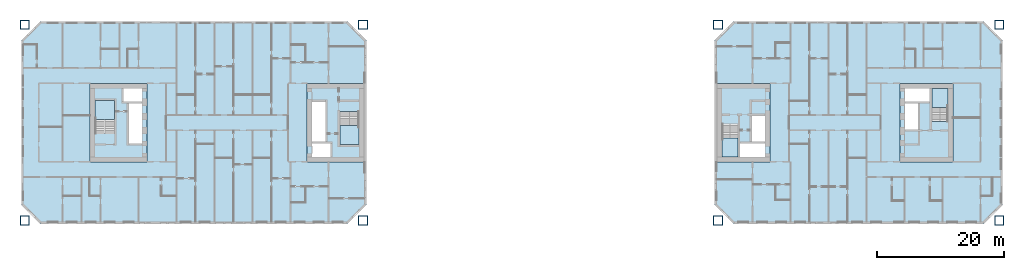
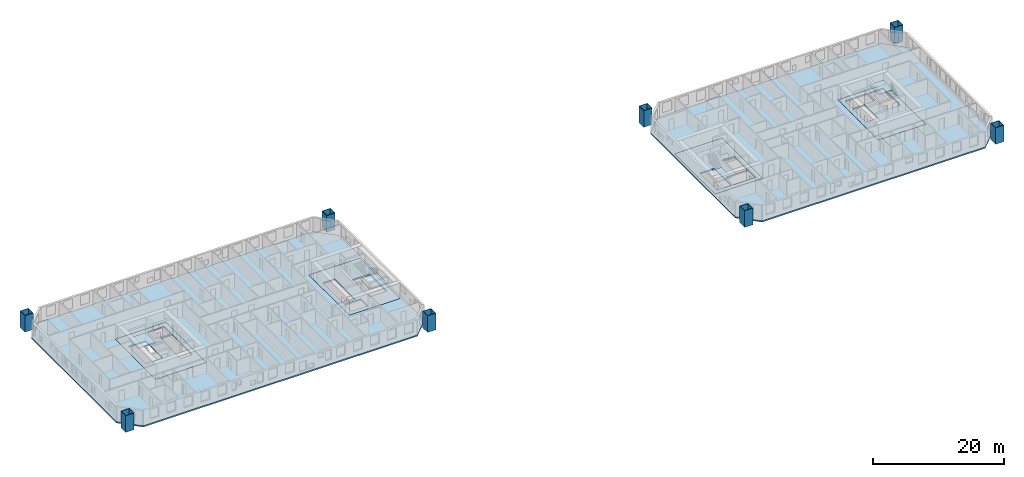
# One storey, part 1 of 19: 10 slabs, 8 columns, 4 elements without a shape of their own.
"""IFC4 building model written with IfcOpenShell, lengths in metres."""

from ifc_helpers import new_model, si_unit, direction, frame, origin, origin_2d, place, context, subcontext, project, spatial, polyline, hollow_rectangle, outline, extrude, material, layer, layer_set, material_profile, profile_set, type_object, element, aggregate, save


model = new_model("IFC4")

# Units and contexts
model_context = context("Model", 3, precision=1e-05, world=origin(), true_north=direction((0.0, 1.0)))
body_context = subcontext(model_context, "Body", "Model", "MODEL_VIEW")
ifc_project = project(units=[si_unit("LENGTHUNIT", "METRE"), si_unit("AREAUNIT", "SQUARE_METRE"), si_unit("VOLUMEUNIT", "CUBIC_METRE"), si_unit("PLANEANGLEUNIT", "RADIAN"), si_unit("MASSUNIT", "GRAM", prefix="KILO")], contexts=[model_context])

# Site, building, storey
site_placement = place(None, origin())
site = spatial("IfcSite", under=ifc_project, at=site_placement, CompositionType="ELEMENT")
building_placement = place(site_placement, origin())
building = spatial("IfcBuilding", under=site, at=building_placement, Name="Tuart Gate Housing", CompositionType="ELEMENT")
storey_placement = place(building_placement, frame((0.0, 0.0, 56.699951171875)))
storey = spatial("IfcBuildingStorey", under=building, at=storey_placement, Name="L15", CompositionType="ELEMENT", Elevation=56.699951171875)

# Columns
ifc_material_1 = material(Name="Steel Grade 350", Category="steel")
ifc_material_profile = material_profile(ifc_material_1, hollow_rectangle(XDim=1.5, YDim=1.5, WallThickness=0.080078125, at=origin_2d()), Name="BOX 1500x1500x80")
ifc_profile_set = profile_set([ifc_material_profile], Name="Steel Grade 350")
column_type = type_object("IfcColumnType", Name="Mega column BOX 1500x1500x80", PredefinedType="COLUMN", material=ifc_profile_set)
for number, where, z_axis, x_axis, name in (
    (1, (22.050048828125, 54.550048828125, 0.0), (0.0, 0.0, 1.0), (1.0, 0.0, 0.0), "Mega column A south-west L15"),
    (2, (75.449951171875, 54.550048828125, 0.0), (0.0, 0.0, 1.0), (1.0, 0.0, 0.0), "Mega column A south-east L15"),
    (3, (75.449951171875, 85.449951171875, 0.0), (0.0, 0.0, 1.0), (1.0, 0.0, 0.0), "Mega column A north-east L15"),
    (4, (22.050048828125, 85.449951171875, 0.0), (0.0, 0.0, 1.0), (1.0, 0.0, 0.0), "Mega column A north-west L15"),
    (5, (131.550048828125, 54.550048828125, 0.0), (0.0, 0.0, 1.0), (1.0, 0.0, 0.0), "Mega column B south-west L15"),
    (6, (175.949951171875, 54.550048828125, 0.0), (0.0, 0.0, 1.0), (1.0, 0.0, 0.0), "Mega column B south-east L15"),
    (7, (175.949951171875, 85.449951171875, 0.0), (0.0, 0.0, 1.0), (1.0, 0.0, 0.0), "Mega column B north-east L15"),
    (8, (131.550048828125, 85.449951171875, 0.0), (0.0, 0.0, 1.0), (1.0, 0.0, 0.0), "Mega column B north-west L15"),
):
    element("IfcColumn", number, at=place(storey_placement, frame(where, z_axis=z_axis, x_axis=x_axis)), inside=storey, type_object=column_type, Name=name, PredefinedType="COLUMN", context=body_context, shape_type="SweptSolid", body=[
        extrude(hollow_rectangle(XDim=1.5, YDim=1.5, WallThickness=0.080078125, at=origin_2d()), origin(), (0.0, 0.0, 1.0), 3.10009765625),
    ])

# Slabs
ifc_material_2 = material(Name="Concrete C40", Category="concrete")
ifc_layer_1 = layer(ifc_material_2, 0.25)
ifc_layer_set_1 = layer_set([ifc_layer_1], Name="Core floor slab 250")
slab_type_1 = type_object("IfcSlabType", Name="Core floor slab 250", PredefinedType="FLOOR", material=ifc_layer_set_1)
slab_1_placement = place(storey_placement, frame((0.0, 0.0, -0.25)))
element("IfcSlab", 9, at=slab_1_placement, inside=storey, type_object=slab_type_1, Name="Core floor AG", PredefinedType="FLOOR", context=body_context, shape_type="SweptSolid", body=[
    extrude(outline(polyline([(66.639892578125, 63.800048828125), (75.639892578125, 63.800048828125), (75.639892578125, 76.199951171875), (66.639892578125, 76.199951171875), (66.639892578125, 63.800048828125)]), holes=[polyline([(67.43994140625, 64.60009765625), (70.3349609375, 64.60009765625), (70.3349609375, 66.675048828125), (67.43994140625, 66.675048828125), (67.43994140625, 64.60009765625)]), polyline([(67.43994140625, 67.02490234375), (69.514892578125, 67.02490234375), (69.514892578125, 73.27490234375), (67.43994140625, 73.27490234375), (67.43994140625, 67.02490234375)]), polyline([(71.81494140625, 66.52490234375), (74.840087890625, 66.52490234375), (74.840087890625, 71.7548828125), (71.81494140625, 71.7548828125), (71.81494140625, 66.52490234375)])]), origin(), (0.0, 0.0, 1.0), 0.25),
])
slab_2_placement = place(storey_placement, frame((0.0, 0.0, -0.25)))
element("IfcSlab", 10, at=slab_2_placement, inside=storey, type_object=slab_type_1, Name="Core floor AK", PredefinedType="FLOOR", context=body_context, shape_type="SweptSolid", body=[
    extrude(outline(polyline([(32.360107421875, 63.800048828125), (41.360107421875, 63.800048828125), (41.360107421875, 76.199951171875), (32.360107421875, 76.199951171875), (32.360107421875, 63.800048828125)]), holes=[polyline([(40.56005859375, 75.39990234375), (37.6650390625, 75.39990234375), (37.6650390625, 73.324951171875), (40.56005859375, 73.324951171875), (40.56005859375, 75.39990234375)]), polyline([(40.56005859375, 72.97509765625), (38.485107421875, 72.97509765625), (38.485107421875, 66.72509765625), (40.56005859375, 66.72509765625), (40.56005859375, 72.97509765625)]), polyline([(36.18505859375, 73.47509765625), (33.159912109375, 73.47509765625), (33.159912109375, 68.2451171875), (36.18505859375, 68.2451171875), (36.18505859375, 73.47509765625)])]), origin(), (0.0, 0.0, 1.0), 0.25),
])
slab_3_placement = place(storey_placement, frame((0.0, 0.0, -0.25)))
element("IfcSlab", 11, at=slab_3_placement, inside=storey, type_object=slab_type_1, Name="Core floor BG", PredefinedType="FLOOR", context=body_context, shape_type="SweptSolid", body=[
    extrude(outline(polyline([(131.360107421875, 63.800048828125), (139.760009765625, 63.800048828125), (139.760009765625, 76.199951171875), (131.360107421875, 76.199951171875), (131.360107421875, 63.800048828125)]), holes=[polyline([(138.9599609375, 66.85009765625), (135.034912109375, 66.85009765625), (135.034912109375, 64.60009765625), (138.9599609375, 64.60009765625), (138.9599609375, 66.85009765625)]), polyline([(138.9599609375, 71.074951171875), (136.885009765625, 71.074951171875), (136.885009765625, 67.02490234375), (138.9599609375, 67.02490234375), (138.9599609375, 71.074951171875)]), polyline([(134.68505859375, 69.804931640625), (132.159912109375, 69.804931640625), (132.159912109375, 64.60009765625), (134.68505859375, 64.60009765625), (134.68505859375, 69.804931640625)])]), origin(), (0.0, 0.0, 1.0), 0.25),
])
slab_4_placement = place(storey_placement, frame((0.0, 0.0, -0.25)))
element("IfcSlab", 12, at=slab_4_placement, inside=storey, type_object=slab_type_1, Name="Core floor BK", PredefinedType="FLOOR", context=body_context, shape_type="SweptSolid", body=[
    extrude(outline(polyline([(160.239990234375, 63.800048828125), (168.639892578125, 63.800048828125), (168.639892578125, 76.199951171875), (160.239990234375, 76.199951171875), (160.239990234375, 63.800048828125)]), holes=[polyline([(161.0400390625, 73.14990234375), (164.965087890625, 73.14990234375), (164.965087890625, 75.39990234375), (161.0400390625, 75.39990234375), (161.0400390625, 73.14990234375)]), polyline([(161.0400390625, 68.925048828125), (163.114990234375, 68.925048828125), (163.114990234375, 72.97509765625), (161.0400390625, 72.97509765625), (161.0400390625, 68.925048828125)]), polyline([(165.31494140625, 70.195068359375), (167.840087890625, 70.195068359375), (167.840087890625, 75.39990234375), (165.31494140625, 75.39990234375), (165.31494140625, 70.195068359375)])]), origin(), (0.0, 0.0, 1.0), 0.25),
])
ifc_material_3 = material(Name="Concrete C40", Category="concrete")
ifc_layer_2 = layer(ifc_material_3, 0.25)
ifc_layer_set_2 = layer_set([ifc_layer_2], Name="Flat plate 250")
slab_type_2 = type_object("IfcSlabType", Name="Flat plate 250", PredefinedType="FLOOR", material=ifc_layer_set_2)
slab_5_placement = place(storey_placement, frame((0.0, 0.0, -0.25)))
element("IfcSlab", 13, at=slab_5_placement, inside=storey, type_object=slab_type_2, Name="Floor slab A L15", PredefinedType="FLOOR", context=body_context, shape_type="SweptSolid", body=[
    extrude(outline(polyline([(24.5, 86.0), (21.5, 83.0), (21.5, 57.0), (24.5, 54.0), (73.0, 54.0), (76.0, 57.0), (76.0, 83.0), (73.0, 86.0), (24.5, 86.0)]), holes=[polyline([(66.639892578125, 76.199951171875), (75.639892578125, 76.199951171875), (75.639892578125, 63.800048828125), (66.639892578125, 63.800048828125), (66.639892578125, 76.199951171875)]), polyline([(41.360107421875, 76.199951171875), (41.360107421875, 63.800048828125), (32.360107421875, 63.800048828125), (32.360107421875, 76.199951171875), (41.360107421875, 76.199951171875)])]), origin(), (0.0, 0.0, 1.0), 0.25),
])
slab_6_placement = place(storey_placement, frame((0.0, 0.0, -0.25)))
element("IfcSlab", 14, at=slab_6_placement, inside=storey, type_object=slab_type_2, Name="Floor slab B L15", PredefinedType="FLOOR", context=body_context, shape_type="SweptSolid", body=[
    extrude(outline(polyline([(134.0, 86.0), (131.0, 83.0), (131.0, 57.0), (134.0, 54.0), (173.5, 54.0), (176.5, 57.0), (176.5, 83.0), (173.5, 86.0), (134.0, 86.0)]), holes=[polyline([(131.360107421875, 76.199951171875), (139.760009765625, 76.199951171875), (139.760009765625, 63.800048828125), (131.360107421875, 63.800048828125), (131.360107421875, 76.199951171875)]), polyline([(168.639892578125, 76.199951171875), (168.639892578125, 63.800048828125), (160.239990234375, 63.800048828125), (160.239990234375, 76.199951171875), (168.639892578125, 76.199951171875)])]), origin(), (0.0, 0.0, 1.0), 0.25),
])

# Stair, slab
ifc_material_4 = material(Name="Concrete C40", Category="concrete")
stair_type_1 = type_object("IfcStairType", Name="Core stair 1500", PredefinedType="HALF_TURN_STAIR", material=ifc_material_4)
stair_1_placement = place(storey_placement, origin())
stair_1 = element("IfcStair", 15, at=stair_1_placement, inside=storey, type_object=stair_type_1, Name="Stair SA1", PredefinedType="HALF_TURN_STAIR")
ifc_material_5 = material(Name="Concrete C40", Category="concrete")
ifc_layer_3 = layer(ifc_material_5, 0.199951171875)
ifc_layer_set_3 = layer_set([ifc_layer_3], Name="Stair landing 200")
slab_type_3 = type_object("IfcSlabType", Name="Stair landing 200", PredefinedType="LANDING", material=ifc_layer_set_3)
slab_7_placement = place(storey_placement, frame((0.0, 0.0, 1.35009765625)))
slab_7 = element("IfcSlab", 16, at=slab_7_placement, type_object=slab_type_3, Name="SA1 landing 1", PredefinedType="LANDING", context=body_context, shape_type="SweptSolid", body=[
    extrude(outline(polyline([(71.81494140625, 66.52490234375), (74.840087890625, 66.52490234375), (74.840087890625, 69.534912109375), (71.81494140625, 69.534912109375), (71.81494140625, 66.52490234375)])), origin(), (0.0, 0.0, 1.0), 0.199951171875),
])
aggregate(stair_1, [slab_7])

stair_2_placement = place(storey_placement, origin())
stair_2 = element("IfcStair", 17, at=stair_2_placement, inside=storey, type_object=stair_type_1, Name="Stair SA2", PredefinedType="HALF_TURN_STAIR")
slab_8_placement = place(storey_placement, frame((0.0, 0.0, 1.35009765625)))
slab_8 = element("IfcSlab", 18, at=slab_8_placement, type_object=slab_type_3, Name="SA2 landing 1", PredefinedType="LANDING", context=body_context, shape_type="SweptSolid", body=[
    extrude(outline(polyline([(36.18505859375, 73.47509765625), (33.159912109375, 73.47509765625), (33.159912109375, 70.465087890625), (36.18505859375, 70.465087890625), (36.18505859375, 73.47509765625)])), origin(), (0.0, 0.0, 1.0), 0.199951171875),
])
aggregate(stair_2, [slab_8])

ifc_material_6 = material(Name="Concrete C40", Category="concrete")
stair_type_2 = type_object("IfcStairType", Name="Core stair 1250", PredefinedType="HALF_TURN_STAIR", material=ifc_material_6)
stair_3_placement = place(storey_placement, origin())
stair_3 = element("IfcStair", 19, at=stair_3_placement, inside=storey, type_object=stair_type_2, Name="Stair SB1", PredefinedType="HALF_TURN_STAIR")
slab_9_placement = place(storey_placement, frame((0.0, 0.0, 1.35009765625)))
slab_9 = element("IfcSlab", 20, at=slab_9_placement, type_object=slab_type_3, Name="SB1 landing 1", PredefinedType="LANDING", context=body_context, shape_type="SweptSolid", body=[
    extrude(outline(polyline([(134.68505859375, 67.5849609375), (132.159912109375, 67.5849609375), (132.159912109375, 64.60009765625), (134.68505859375, 64.60009765625), (134.68505859375, 67.5849609375)])), origin(), (0.0, 0.0, 1.0), 0.199951171875),
])
aggregate(stair_3, [slab_9])

stair_4_placement = place(storey_placement, origin())
stair_4 = element("IfcStair", 21, at=stair_4_placement, inside=storey, type_object=stair_type_2, Name="Stair SB2", PredefinedType="HALF_TURN_STAIR")
slab_10_placement = place(storey_placement, frame((0.0, 0.0, 1.35009765625)))
slab_10 = element("IfcSlab", 22, at=slab_10_placement, type_object=slab_type_3, Name="SB2 landing 1", PredefinedType="LANDING", context=body_context, shape_type="SweptSolid", body=[
    extrude(outline(polyline([(165.31494140625, 72.4150390625), (167.840087890625, 72.4150390625), (167.840087890625, 75.39990234375), (165.31494140625, 75.39990234375), (165.31494140625, 72.4150390625)])), origin(), (0.0, 0.0, 1.0), 0.199951171875),
])
aggregate(stair_4, [slab_10])

save(model, "model.ifc")
